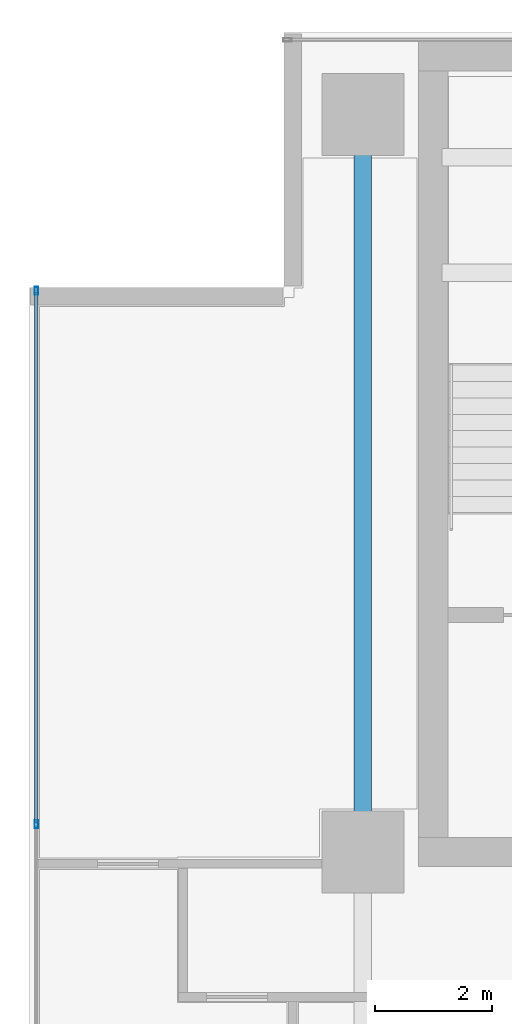
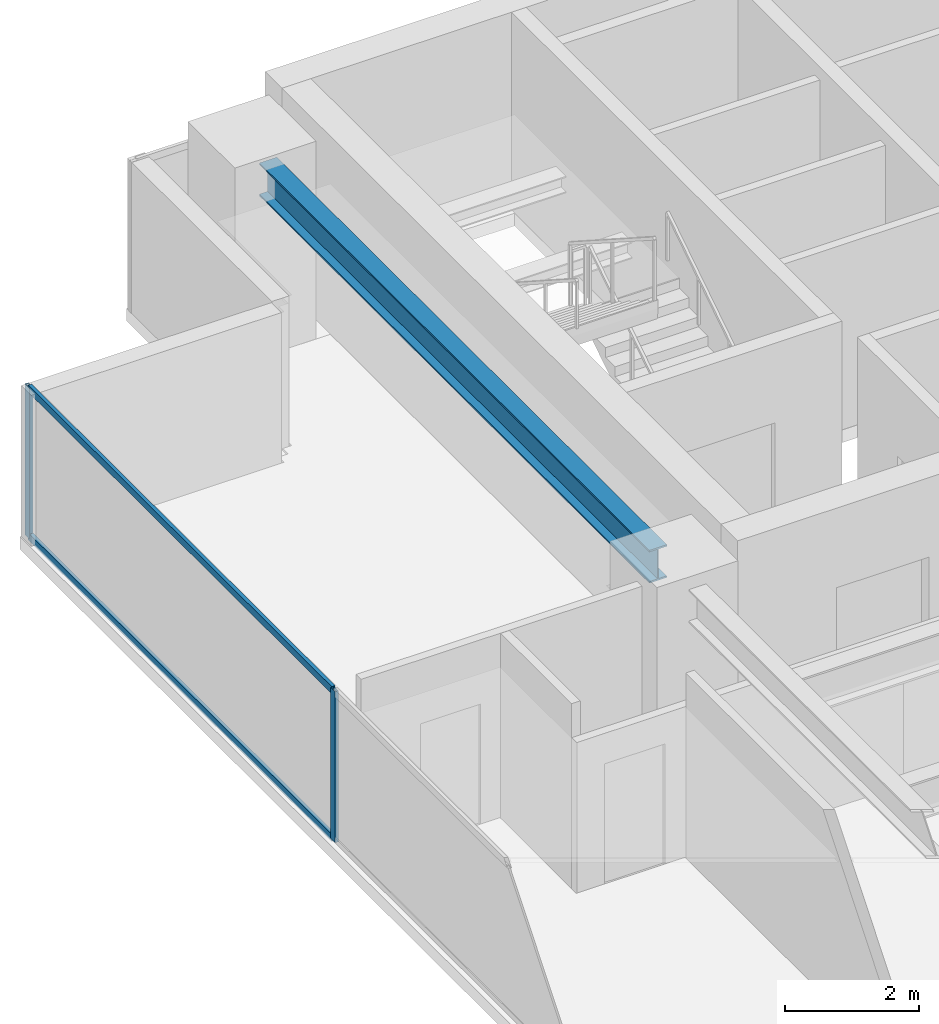
# One storey, part 9 of 25: 4 members, 1 beam, 1 element without a shape of its own.
"""IFC4 building model written with IfcOpenShell, lengths in metres."""

from ifc_helpers import new_model, si_unit, direction, frame, origin, origin_2d, place, context, subcontext, project, spatial, hollow_rectangle, i_section, extrude, source, transform, mapped, material, layer, layer_set, material_profile, profile_set, type_object, element, aggregate, save


model = new_model("IFC4")

# Units and contexts
model_context = context("Model", 3, precision=1e-05, world=origin(), true_north=direction((0.0, 1.0)))
body_context = subcontext(model_context, "Body", "Model", "MODEL_VIEW")
ifc_project = project(units=[si_unit("LENGTHUNIT", "METRE"), si_unit("AREAUNIT", "SQUARE_METRE"), si_unit("VOLUMEUNIT", "CUBIC_METRE"), si_unit("PLANEANGLEUNIT", "RADIAN"), si_unit("MASSUNIT", "GRAM", prefix="KILO")], contexts=[model_context])

# Site, building, storey
site_placement = place(None, origin())
site = spatial("IfcSite", under=ifc_project, at=site_placement, CompositionType="ELEMENT")
building_placement = place(site_placement, origin())
building = spatial("IfcBuilding", under=site, at=building_placement, Name="Sumidabori Civic Tower", CompositionType="ELEMENT")
storey_placement = place(building_placement, frame((0.0, 0.0, 246.800048828125)))
storey = spatial("IfcBuildingStorey", under=building, at=storey_placement, Name="L64", CompositionType="ELEMENT", Elevation=246.800048828125)

# Beam
ifc_material_1 = material(Name="Steel SN490", Category="steel")
ifc_material_profile_1 = material_profile(ifc_material_1, i_section(OverallWidth=0.300048828125, OverallDepth=0.60009765625, WebThickness=0.015380859375, FlangeThickness=0.030029296875, at=origin_2d()), Name="HE 600 B")
ifc_profile_set_1 = profile_set([ifc_material_profile_1], Name="Steel SN490")
beam_type = type_object("IfcBeamType", Name="BM-GIRD-600", PredefinedType="BEAM", material=ifc_profile_set_1)
shared_shape_1 = source(origin(), body_context, "Body", "SweptSolid", [
    extrude(i_section(OverallWidth=0.300048828125, OverallDepth=0.60009765625, WebThickness=0.015380859375, FlangeThickness=0.030029296875, at=origin_2d()), origin(), (0.0, 0.0, 1.0), 11.64013671875),
])
beam_placement = place(storey_placement, frame((-16.800048828125, 10.679931640625, 3.070068359375), z_axis=(0.0, 1.0, 0.0), x_axis=(-1.0, 0.0, 0.0)))
element("IfcBeam", 1, at=beam_placement, inside=storey, type_object=beam_type, Name="Primary Girder L64 GY-11", PredefinedType="BEAM", context=body_context, shape_type="MappedRepresentation", body=[
    mapped(shared_shape_1, transform((0.0, 0.0, 0.0), x_axis=(1.0, 0.0, 0.0), y_axis=(0.0, 1.0, 0.0), z_axis=(0.0, 0.0, 1.0), scale=1.0)),
])

# Curtain wall, members
ifc_material_2 = material(Name="Anodised Bronze Aluminium AW-6063-T6", Category="aluminium")
ifc_layer = layer(ifc_material_2, 0.179931640625, Name="Anodised Bronze Aluminium AW-6063-T6")
ifc_layer_set = layer_set([ifc_layer], Name="Anodised Bronze Aluminium AW-6063-T6")
curtain_wall_type = type_object("IfcCurtainWallType", Name="CW-SYS-5", PredefinedType="NOTDEFINED", material=ifc_layer_set)
curtain_wall_placement = place(storey_placement, origin())
curtain_wall = element("IfcCurtainWall", 2, at=curtain_wall_placement, inside=storey, type_object=curtain_wall_type, Name="Curtain Wall CW:L64:R10", PredefinedType="NOTDEFINED")
ifc_material_profile_2 = material_profile(ifc_material_2, hollow_rectangle(XDim=0.06005859375, YDim=0.139892578125, WallThickness=0.0048828125, at=origin_2d()), Name="ALU MULLION 140x60")
ifc_profile_set_2 = profile_set([ifc_material_profile_2], Name="Anodised Bronze Aluminium AW-6063-T6")
member_type_1 = type_object("IfcMemberType", Name="CW-MUL-140", PredefinedType="MULLION", material=ifc_profile_set_2)
shared_shape_2 = source(origin(), body_context, "Body", "SweptSolid", [
    extrude(hollow_rectangle(XDim=0.06005859375, YDim=0.139892578125, WallThickness=0.0048828125, at=origin_2d()), origin(), (0.0, 0.0, 1.0), 2.75),
])
member_1_placement = place(storey_placement, frame((-22.3798828125, 19.7900390625, 0.0), z_axis=(0.0, 0.0, 1.0), x_axis=(1.0, 0.0, 0.0)))
member_1 = element("IfcMember", 3, at=member_1_placement, type_object=member_type_1, Name="CW-5 mullion 1", PredefinedType="MULLION", context=body_context, shape_type="MappedRepresentation", body=[
    mapped(shared_shape_2, transform((0.0, 0.0, 0.0), x_axis=(1.0, 0.0, 0.0), y_axis=(0.0, 1.0, 0.0), z_axis=(0.0, 0.0, 1.0), scale=1.0)),
])
member_2_placement = place(storey_placement, frame((-22.3798828125, 10.67333984375, 0.0), z_axis=(0.0, 0.0, 1.0), x_axis=(1.0, 0.0, 0.0)))
member_2 = element("IfcMember", 4, at=member_2_placement, type_object=member_type_1, Name="CW-5 mullion 2", PredefinedType="MULLION", context=body_context, shape_type="MappedRepresentation", body=[
    mapped(shared_shape_2, transform((0.0, 0.0, 0.0), x_axis=(1.0, 0.0, 0.0), y_axis=(0.0, 1.0, 0.0), z_axis=(0.0, 0.0, 1.0), scale=1.0)),
])
ifc_material_profile_3 = material_profile(ifc_material_2, hollow_rectangle(XDim=0.06005859375, YDim=0.1298828125, WallThickness=0.0048828125, at=origin_2d()), Name="ALU TRANSOM 130x60")
ifc_profile_set_3 = profile_set([ifc_material_profile_3], Name="Anodised Bronze Aluminium AW-6063-T6")
member_type_2 = type_object("IfcMemberType", Name="CW-TRN-130", PredefinedType="USERDEFINED", material=ifc_profile_set_3)
shared_shape_3 = source(origin(), body_context, "Body", "SweptSolid", [
    extrude(hollow_rectangle(XDim=0.06005859375, YDim=0.1298828125, WallThickness=0.0048828125, at=origin_2d()), origin(), (0.0, 0.0, 1.0), 9.056640625),
])
member_3_placement = place(storey_placement, frame((-22.3798828125, 19.760009765625, 0.030029296875), z_axis=(0.0, -1.0, 0.0), x_axis=(1.0, 0.0, 0.0)))
member_3 = element("IfcMember", 5, at=member_3_placement, type_object=member_type_2, Name="CW-5 transom 1.1", ObjectType="TRANSOM", PredefinedType="USERDEFINED", context=body_context, shape_type="MappedRepresentation", body=[
    mapped(shared_shape_3, transform((0.0, 0.0, 0.0), x_axis=(1.0, 0.0, 0.0), y_axis=(0.0, 1.0, 0.0), z_axis=(0.0, 0.0, 1.0), scale=1.0)),
])
member_4_placement = place(storey_placement, frame((-22.3798828125, 19.760009765625, 2.719970703125), z_axis=(0.0, -1.0, 0.0), x_axis=(1.0, 0.0, 0.0)))
member_4 = element("IfcMember", 6, at=member_4_placement, type_object=member_type_2, Name="CW-5 transom 1.2", ObjectType="TRANSOM", PredefinedType="USERDEFINED", context=body_context, shape_type="MappedRepresentation", body=[
    mapped(shared_shape_3, transform((0.0, 0.0, 0.0), x_axis=(1.0, 0.0, 0.0), y_axis=(0.0, 1.0, 0.0), z_axis=(0.0, 0.0, 1.0), scale=1.0)),
])
aggregate(curtain_wall, [member_1, member_2, member_3, member_4])

save(model, "model.ifc")
